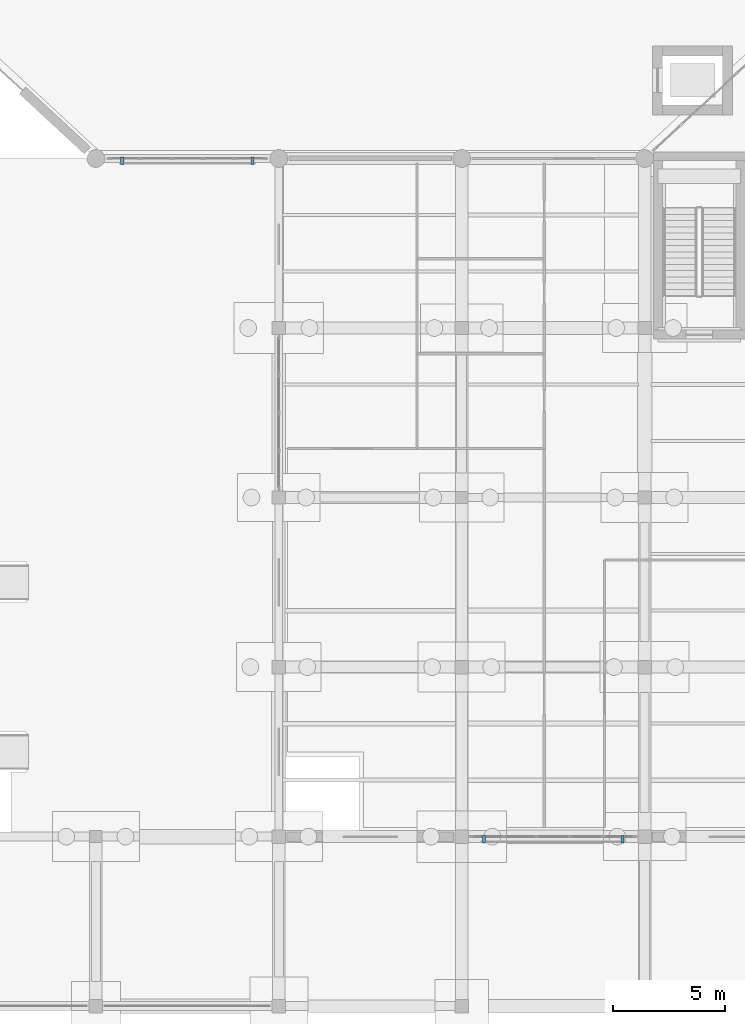
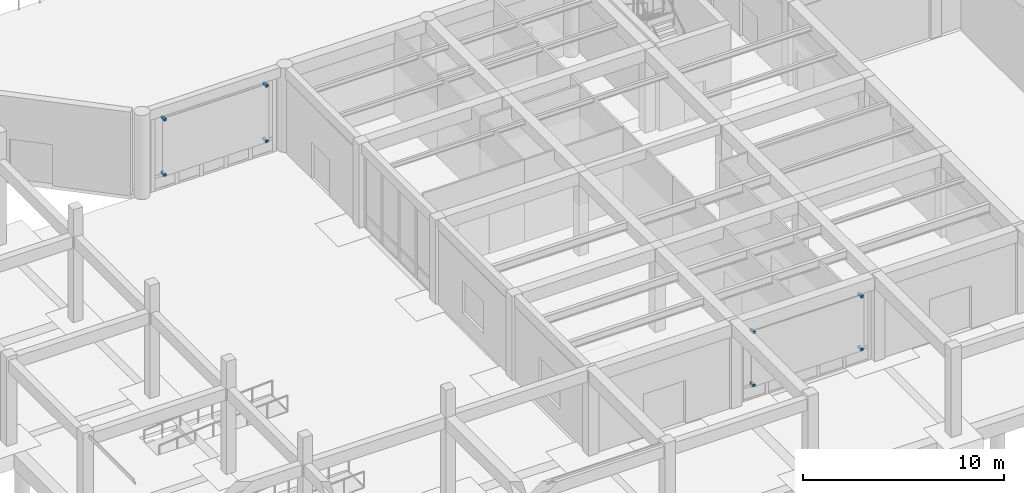
# One storey, part 51 of 64: 8 discrete accessories.
"""IFC4 building model written with IfcOpenShell, lengths in metres."""

from ifc_helpers import new_model, si_unit, direction, frame, origin, origin_2d, place, context, subcontext, project, spatial, rectangle, extrude, material, type_object, element, save


model = new_model("IFC4")

# Units and contexts
model_context = context("Model", 3, precision=1e-05, world=origin(), true_north=direction((0.0, 1.0)))
body_context = subcontext(model_context, "Body", "Model", "MODEL_VIEW")
ifc_project = project(units=[si_unit("LENGTHUNIT", "METRE"), si_unit("AREAUNIT", "SQUARE_METRE"), si_unit("VOLUMEUNIT", "CUBIC_METRE"), si_unit("PLANEANGLEUNIT", "RADIAN"), si_unit("MASSUNIT", "GRAM", prefix="KILO")], contexts=[model_context])

# Site, building, storey
site_placement = place(None, origin())
site = spatial("IfcSite", under=ifc_project, at=site_placement, CompositionType="ELEMENT")
building_placement = place(site_placement, origin())
building = spatial("IfcBuilding", under=site, at=building_placement, Name="Qandaris Square Conservatory and Botanical Centre", CompositionType="ELEMENT")
storey_placement = place(building_placement, origin())
storey = spatial("IfcBuildingStorey", under=building, at=storey_placement, Name="L00", CompositionType="ELEMENT", Elevation=0.0)

# Discrete accessories
ifc_material = material(Name="Steel S355", Category="steel")
discrete_accessory_type = type_object("IfcDiscreteAccessoryType", Name="Mashrabiya Support Outrigger Bracket", PredefinedType="BRACKET", material=ifc_material)
for number, where, z_axis, x_axis, name in (
    (1, (25.580078125, 46.889892578125, 0.89990234375), (0.0, 0.0, 1.0), (1.0, 0.0, 0.0), "Mashrabiya Bracket CW-CON-L00-0W-BRK-6-10"),
    (2, (25.580078125, 46.889892578125, 4.25), (0.0, 0.0, 1.0), (1.0, 0.0, 0.0), "Mashrabiya Bracket CW-CON-L00-0W-BRK-6-43"),
    (3, (31.419921875, 46.889892578125, 0.89990234375), (0.0, 0.0, 1.0), (1.0, 0.0, 0.0), "Mashrabiya Bracket CW-CON-L00-0W-BRK-64-10"),
    (4, (31.419921875, 46.889892578125, 4.25), (0.0, 0.0, 1.0), (1.0, 0.0, 0.0), "Mashrabiya Bracket CW-CON-L00-0W-BRK-64-43"),
    (5, (41.800048828125, 16.489990234375, 0.89990234375), (0.0, 0.0, 1.0), (1.0, 0.0, 0.0), "Mashrabiya Bracket CW-V3A-L00-1-2-BRK-6-10"),
    (6, (41.800048828125, 16.489990234375, 4.10009765625), (0.0, 0.0, 1.0), (1.0, 0.0, 0.0), "Mashrabiya Bracket CW-V3A-L00-1-2-BRK-6-42"),
    (7, (48.0, 16.489990234375, 0.89990234375), (0.0, 0.0, 1.0), (1.0, 0.0, 0.0), "Mashrabiya Bracket CW-V3A-L00-1-2-BRK-68-10"),
    (8, (48.0, 16.489990234375, 4.10009765625), (0.0, 0.0, 1.0), (1.0, 0.0, 0.0), "Mashrabiya Bracket CW-V3A-L00-1-2-BRK-68-42"),
):
    element("IfcDiscreteAccessory", number, at=place(storey_placement, frame(where, z_axis=z_axis, x_axis=x_axis)), inside=storey, type_object=discrete_accessory_type, Name=name, PredefinedType="BRACKET", context=body_context, shape_type="SweptSolid", body=[
        extrude(rectangle(XDim=0.139892578125, YDim=0.340087890625, at=origin_2d()), origin(), (0.0, 0.0, 1.0), 0.139892578125),
    ])

save(model, "model.ifc")
